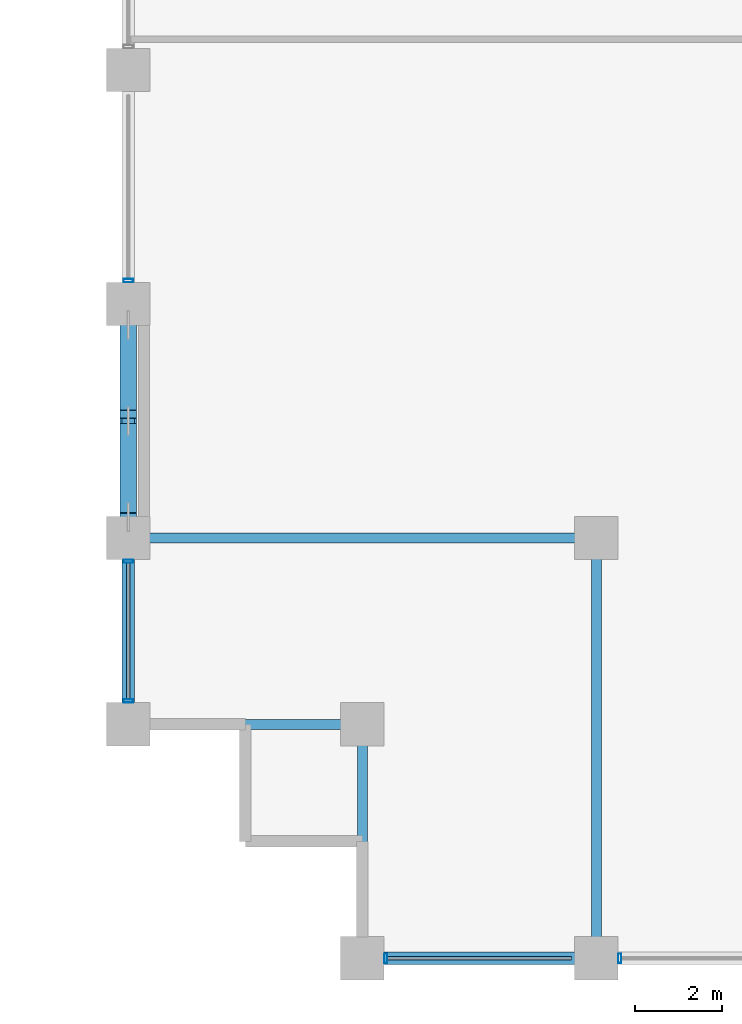
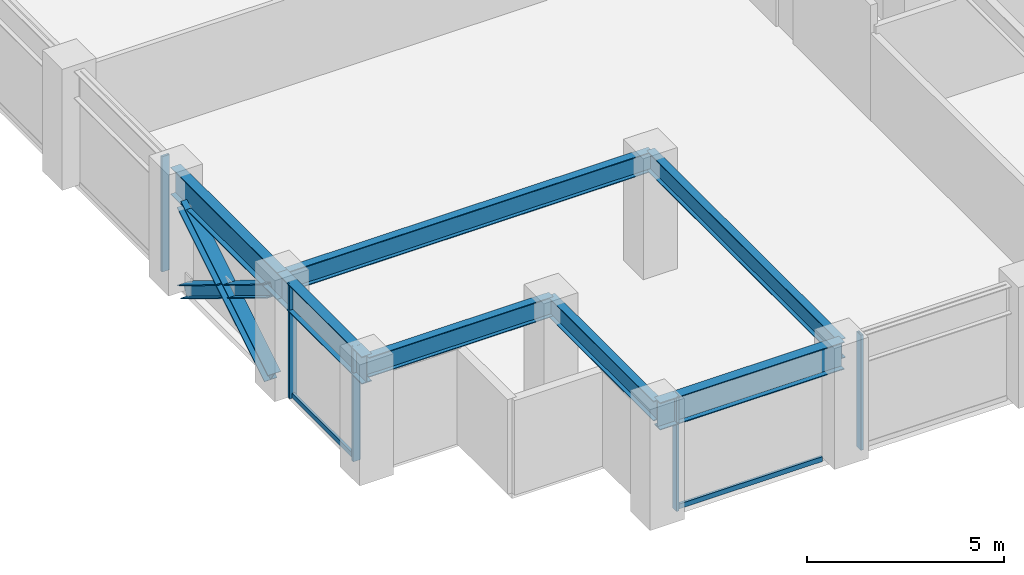
# One storey, part 2 of 29: 10 members, 7 beams, 3 elements without a shape of their own.
"""IFC4 building model written with IfcOpenShell, lengths in metres."""

from ifc_helpers import new_model, si_unit, direction, frame, origin, origin_2d, place, context, subcontext, project, spatial, hollow_rectangle, i_section, extrude, material, layer, layer_set, material_profile, profile_set, type_object, element, aggregate, save


model = new_model("IFC4")

# Units and contexts
model_context = context("Model", 3, precision=1e-05, world=origin(), true_north=direction((0.0, 1.0)))
body_context = subcontext(model_context, "Body", "Model", "MODEL_VIEW")
ifc_project = project(units=[si_unit("LENGTHUNIT", "METRE"), si_unit("AREAUNIT", "SQUARE_METRE"), si_unit("VOLUMEUNIT", "CUBIC_METRE"), si_unit("PLANEANGLEUNIT", "RADIAN"), si_unit("MASSUNIT", "GRAM", prefix="KILO")], contexts=[model_context])

# Site, building, storey
site_placement = place(None, origin())
site = spatial("IfcSite", under=ifc_project, at=site_placement, CompositionType="ELEMENT")
building_placement = place(site_placement, origin())
building = spatial("IfcBuilding", under=site, at=building_placement, Name="Surkhivell Harbour Commons", CompositionType="ELEMENT")
storey_placement = place(building_placement, frame((0.0, 0.0, 154.5)))
storey = spatial("IfcBuildingStorey", under=building, at=storey_placement, Name="L40", CompositionType="ELEMENT", Elevation=154.5)

# Beams
ifc_material_1 = material(Name="Steel S355", Category="steel")
ifc_material_profile_1 = material_profile(ifc_material_1, i_section(OverallWidth=0.22998046875, OverallDepth=0.616943359375, WebThickness=0.01318359375, FlangeThickness=0.022216796875, at=origin_2d()), Name="UB610x229x140")
ifc_profile_set_1 = profile_set([ifc_material_profile_1], Name="Steel S355")
beam_type_1 = type_object("IfcBeamType", Name="BM-GRD-610B", PredefinedType="BEAM", material=ifc_profile_set_1)
beam_1_placement = place(storey_placement, frame((-32.39990234375, -20.5, 3.261474609375), z_axis=(1.0, 0.0, 0.0), x_axis=(0.0, 1.0, 0.0)))
element("IfcBeam", 1, at=beam_1_placement, inside=storey, type_object=beam_type_1, Name="L40 Floor Girder (-32.4,-20.5)", PredefinedType="BEAM", context=body_context, shape_type="SweptSolid", body=[
    extrude(i_section(OverallWidth=0.22998046875, OverallDepth=0.616943359375, WebThickness=0.01318359375, FlangeThickness=0.022216796875, at=origin_2d()), origin(), (0.0, 0.0, 1.0), 5.39990234375),
])
beam_2_placement = place(storey_placement, frame((-32.39990234375, -16.199951171875, 3.261474609375), z_axis=(1.0, 0.0, 0.0), x_axis=(0.0, 1.0, 0.0)))
element("IfcBeam", 2, at=beam_2_placement, inside=storey, type_object=beam_type_1, Name="L40 Floor Girder (-32.4,-16.2)", PredefinedType="BEAM", context=body_context, shape_type="SweptSolid", body=[
    extrude(i_section(OverallWidth=0.22998046875, OverallDepth=0.616943359375, WebThickness=0.01318359375, FlangeThickness=0.022216796875, at=origin_2d()), origin(), (0.0, 0.0, 1.0), 10.7998046875),
])
beam_3_placement = place(storey_placement, frame((-27.0, -25.89990234375, 3.261474609375), z_axis=(0.0, 1.0, 0.0), x_axis=(-1.0, 0.0, 0.0)))
element("IfcBeam", 3, at=beam_3_placement, inside=storey, type_object=beam_type_1, Name="L40 Floor Girder (-27.0,-25.9)", PredefinedType="BEAM", context=body_context, shape_type="SweptSolid", body=[
    extrude(i_section(OverallWidth=0.22998046875, OverallDepth=0.616943359375, WebThickness=0.01318359375, FlangeThickness=0.022216796875, at=origin_2d()), origin(), (0.0, 0.0, 1.0), 5.39990234375),
])
beam_4_placement = place(storey_placement, frame((-21.60009765625, -25.89990234375, 3.261474609375), z_axis=(0.0, 1.0, 0.0), x_axis=(-1.0, 0.0, 0.0)))
element("IfcBeam", 4, at=beam_4_placement, inside=storey, type_object=beam_type_1, Name="L40 Floor Girder (-21.6,-25.9)", PredefinedType="BEAM", context=body_context, shape_type="SweptSolid", body=[
    extrude(i_section(OverallWidth=0.22998046875, OverallDepth=0.616943359375, WebThickness=0.01318359375, FlangeThickness=0.022216796875, at=origin_2d()), origin(), (0.0, 0.0, 1.0), 9.699951171875),
])
ifc_material_2 = material(Name="Steel S460", Category="steel")
ifc_material_profile_2 = material_profile(ifc_material_2, i_section(OverallWidth=0.2939453125, OverallDepth=0.85107421875, WebThickness=0.01611328125, FlangeThickness=0.02685546875, at=origin_2d()), Name="UB838x292x226")
ifc_profile_set_2 = profile_set([ifc_material_profile_2], Name="Steel S460")
beam_type_2 = type_object("IfcBeamType", Name="BM-SPN-838", PredefinedType="SPANDREL", material=ifc_profile_set_2)
beam_5_placement = place(storey_placement, frame((-32.39990234375, -20.5, 3.14453125), z_axis=(0.0, 1.0, 0.0), x_axis=(-1.0, 0.0, 0.0)))
element("IfcBeam", 5, at=beam_5_placement, inside=storey, type_object=beam_type_2, Name="L40 Tube Spandrel (-32.4,-20.5)", PredefinedType="SPANDREL", context=body_context, shape_type="SweptSolid", body=[
    extrude(i_section(OverallWidth=0.2939453125, OverallDepth=0.85107421875, WebThickness=0.01611328125, FlangeThickness=0.02685546875, at=origin_2d()), origin(), (0.0, 0.0, 1.0), 4.300048828125),
])
for number, where, z_axis, x_axis, name in (
    (6, (-32.39990234375, -16.199951171875, 3.14453125), (0.0, 1.0, 0.0), (-1.0, 0.0, 0.0), "L40 Tube Spandrel (-32.4,-16.2)"),
    (7, (-27.0, -25.89990234375, 3.14453125), (1.0, 0.0, 0.0), (0.0, 1.0, 0.0), "L40 Tube Spandrel (-27.0,-25.9)"),
):
    element("IfcBeam", number, at=place(storey_placement, frame(where, z_axis=z_axis, x_axis=x_axis)), inside=storey, type_object=beam_type_2, Name=name, PredefinedType="SPANDREL", context=body_context, shape_type="SweptSolid", body=[
        extrude(i_section(OverallWidth=0.2939453125, OverallDepth=0.85107421875, WebThickness=0.01611328125, FlangeThickness=0.02685546875, at=origin_2d()), origin(), (0.0, 0.0, 1.0), 5.39990234375),
    ])

# Curtain wall, members
ifc_material_3 = material(Name="Anodised pale-metal aluminium and insulated glazing", Category="aluminium")
ifc_layer = layer(ifc_material_3, 0.205078125)
ifc_layer_set = layer_set([ifc_layer], Name="Anodised pale-metal aluminium and insulated glazing")
curtain_wall_type = type_object("IfcCurtainWallType", Name="CW-SYS-Z2", PredefinedType="NOTDEFINED", material=ifc_layer_set)
curtain_wall_1_placement = place(storey_placement, origin())
curtain_wall_1 = element("IfcCurtainWall", 8, at=curtain_wall_1_placement, inside=storey, type_object=curtain_wall_type, Name="L40 Curtain Wall CW-L40-E00S1", PredefinedType="NOTDEFINED")
ifc_material_4 = material(Name="Anodised pale-metal aluminium alloy 6063-T6", Category="aluminium")
ifc_material_profile_3 = material_profile(ifc_material_4, hollow_rectangle(XDim=0.074951171875, YDim=0.219970703125, WallThickness=0.00390625, at=origin_2d()), Name="ALU-MULL-75x220")
ifc_profile_set_3 = profile_set([ifc_material_profile_3], Name="Anodised pale-metal aluminium alloy 6063-T6")
member_type_1 = type_object("IfcMemberType", Name="CWM-220", PredefinedType="MULLION", material=ifc_profile_set_3)
member_1_placement = place(storey_placement, frame((-26.46044921875, -25.89990234375, 0.0), z_axis=(0.0, 0.0, 1.0), x_axis=(1.0, 0.0, 0.0)))
member_1 = element("IfcMember", 9, at=member_1_placement, type_object=member_type_1, Name="CW-Z2 mullion 1", PredefinedType="MULLION", context=body_context, shape_type="SweptSolid", body=[
    extrude(hollow_rectangle(XDim=0.074951171875, YDim=0.219970703125, WallThickness=0.00390625, at=origin_2d()), origin(), (0.0, 0.0, 1.0), 3.570068359375),
])
member_2_placement = place(storey_placement, frame((-21.060546875, -25.89990234375, 0.0), z_axis=(0.0, 0.0, 1.0), x_axis=(1.0, 0.0, 0.0)))
member_2 = element("IfcMember", 10, at=member_2_placement, type_object=member_type_1, Name="CW-Z2 mullion 2", PredefinedType="MULLION", context=body_context, shape_type="SweptSolid", body=[
    extrude(hollow_rectangle(XDim=0.074951171875, YDim=0.219970703125, WallThickness=0.00390625, at=origin_2d()), origin(), (0.0, 0.0, 1.0), 3.570068359375),
])

curtain_wall_2_placement = place(storey_placement, origin())
curtain_wall_2 = element("IfcCurtainWall", 11, at=curtain_wall_2_placement, inside=storey, type_object=curtain_wall_type, Name="L40 Curtain Wall CW-L40-E12R1S1", PredefinedType="NOTDEFINED")
member_3_placement = place(storey_placement, frame((-32.39990234375, -19.96044921875, 0.0), z_axis=(0.0, 0.0, 1.0), x_axis=(0.0, 1.0, 0.0)))
member_3 = element("IfcMember", 12, at=member_3_placement, type_object=member_type_1, Name="CW-Z2 mullion 1", PredefinedType="MULLION", context=body_context, shape_type="SweptSolid", body=[
    extrude(hollow_rectangle(XDim=0.074951171875, YDim=0.219970703125, WallThickness=0.00390625, at=origin_2d()), origin(), (0.0, 0.0, 1.0), 3.570068359375),
])
member_4_placement = place(storey_placement, frame((-32.39990234375, -16.739501953125, 0.0), z_axis=(0.0, 0.0, 1.0), x_axis=(0.0, 1.0, 0.0)))
member_4 = element("IfcMember", 13, at=member_4_placement, type_object=member_type_1, Name="CW-Z2 mullion 2", PredefinedType="MULLION", context=body_context, shape_type="SweptSolid", body=[
    extrude(hollow_rectangle(XDim=0.074951171875, YDim=0.219970703125, WallThickness=0.00390625, at=origin_2d()), origin(), (0.0, 0.0, 1.0), 3.570068359375),
])

# Curtain wall, member
curtain_wall_3_placement = place(storey_placement, origin())
curtain_wall_3 = element("IfcCurtainWall", 14, at=curtain_wall_3_placement, inside=storey, type_object=curtain_wall_type, Name="L40 Curtain Wall CW-L40-E12R1S2", PredefinedType="NOTDEFINED")
member_5_placement = place(storey_placement, frame((-32.39990234375, -10.260498046875, 0.0), z_axis=(0.0, 0.0, 1.0), x_axis=(0.0, 1.0, 0.0)))
member_5 = element("IfcMember", 15, at=member_5_placement, type_object=member_type_1, Name="CW-Z2 mullion 1", PredefinedType="MULLION", context=body_context, shape_type="SweptSolid", body=[
    extrude(hollow_rectangle(XDim=0.074951171875, YDim=0.219970703125, WallThickness=0.00390625, at=origin_2d()), origin(), (0.0, 0.0, 1.0), 3.570068359375),
])
aggregate(curtain_wall_3, [member_5])

# Member
ifc_material_profile_4 = material_profile(ifc_material_4, hollow_rectangle(XDim=0.074951171875, YDim=0.14990234375, WallThickness=0.00341796875, at=origin_2d()), Name="ALU-TRAN-75x150")
ifc_profile_set_4 = profile_set([ifc_material_profile_4], Name="Anodised pale-metal aluminium alloy 6063-T6")
member_type_2 = type_object("IfcMemberType", Name="CWT-150", PredefinedType="USERDEFINED", material=ifc_profile_set_4)
member_6_placement = place(storey_placement, frame((-26.423095703125, -25.89990234375, 0.074951171875), z_axis=(1.0, 0.0, 0.0), x_axis=(0.0, 1.0, 0.0)))
member_6 = element("IfcMember", 16, at=member_6_placement, type_object=member_type_2, Name="CW-Z2 transom 1.1", ObjectType="TRANSOM", PredefinedType="USERDEFINED", context=body_context, shape_type="SweptSolid", body=[
    extrude(hollow_rectangle(XDim=0.074951171875, YDim=0.14990234375, WallThickness=0.00341796875, at=origin_2d()), origin(), (0.0, 0.0, 1.0), 4.24609375),
])

aggregate(curtain_wall_1, [member_1, member_6, member_2])

member_7_placement = place(storey_placement, frame((-32.39990234375, -19.923095703125, 0.074951171875), z_axis=(0.0, 1.0, 0.0), x_axis=(-1.0, 0.0, 0.0)))
member_7 = element("IfcMember", 17, at=member_7_placement, type_object=member_type_2, Name="CW-Z2 transom 1.1", ObjectType="TRANSOM", PredefinedType="USERDEFINED", context=body_context, shape_type="SweptSolid", body=[
    extrude(hollow_rectangle(XDim=0.074951171875, YDim=0.14990234375, WallThickness=0.00341796875, at=origin_2d()), origin(), (0.0, 0.0, 1.0), 3.14599609375),
])

aggregate(curtain_wall_2, [member_3, member_4, member_7])

# Members
ifc_material_profile_5 = material_profile(ifc_material_2, i_section(OverallWidth=0.375, OverallDepth=0.375, WebThickness=0.0166015625, FlangeThickness=0.027099609375, at=origin_2d()), Name="UC356x368x202")
ifc_profile_set_5 = profile_set([ifc_material_profile_5], Name="Steel S460")
member_type_3 = type_object("IfcMemberType", Name="MEM-BRC-UC356", PredefinedType="BRACE", material=ifc_profile_set_5)
member_8_placement = place(storey_placement, frame((-32.39990234375, -15.715087890625, 0.008056640625), z_axis=(0.0, 0.852637717293, 0.522502557936), x_axis=(-1.0, 0.0, 0.0)))
element("IfcMember", 18, at=member_8_placement, inside=storey, type_object=member_type_3, Name="L40 Perimeter Mega-Brace MB- 10", PredefinedType="BRACE", context=body_context, shape_type="SweptSolid", body=[
    extrude(i_section(OverallWidth=0.375, OverallDepth=0.375, WebThickness=0.0166015625, FlangeThickness=0.027099609375, at=origin_2d()), origin(), (0.0, 0.0, 1.0), 5.19580078125),
])
member_9_placement = place(storey_placement, frame((-32.39990234375, -11.284912109375, 0.008056640625), z_axis=(0.0, -0.852617215241, 0.52253601242), x_axis=(1.0, 0.0, 0.0)))
element("IfcMember", 19, at=member_9_placement, inside=storey, type_object=member_type_3, Name="L40 Perimeter Mega-Brace MB- 11", PredefinedType="BRACE", context=body_context, shape_type="SweptSolid", body=[
    extrude(i_section(OverallWidth=0.375, OverallDepth=0.375, WebThickness=0.0166015625, FlangeThickness=0.027099609375, at=origin_2d()), origin(), (0.0, 0.0, 1.0), 2.41796875),
])
member_10_placement = place(storey_placement, frame((-32.39990234375, -13.653564453125, 1.459716796875), z_axis=(0.0, -0.852662200332, 0.522462603567), x_axis=(1.0, 0.0, 0.0)))
element("IfcMember", 20, at=member_10_placement, inside=storey, type_object=member_type_3, Name="L40 Perimeter Mega-Brace MB- 12", PredefinedType="BRACE", context=body_context, shape_type="SweptSolid", body=[
    extrude(i_section(OverallWidth=0.375, OverallDepth=0.375, WebThickness=0.0166015625, FlangeThickness=0.027099609375, at=origin_2d()), origin(), (0.0, 0.0, 1.0), 2.417724609375),
])

save(model, "model.ifc")
